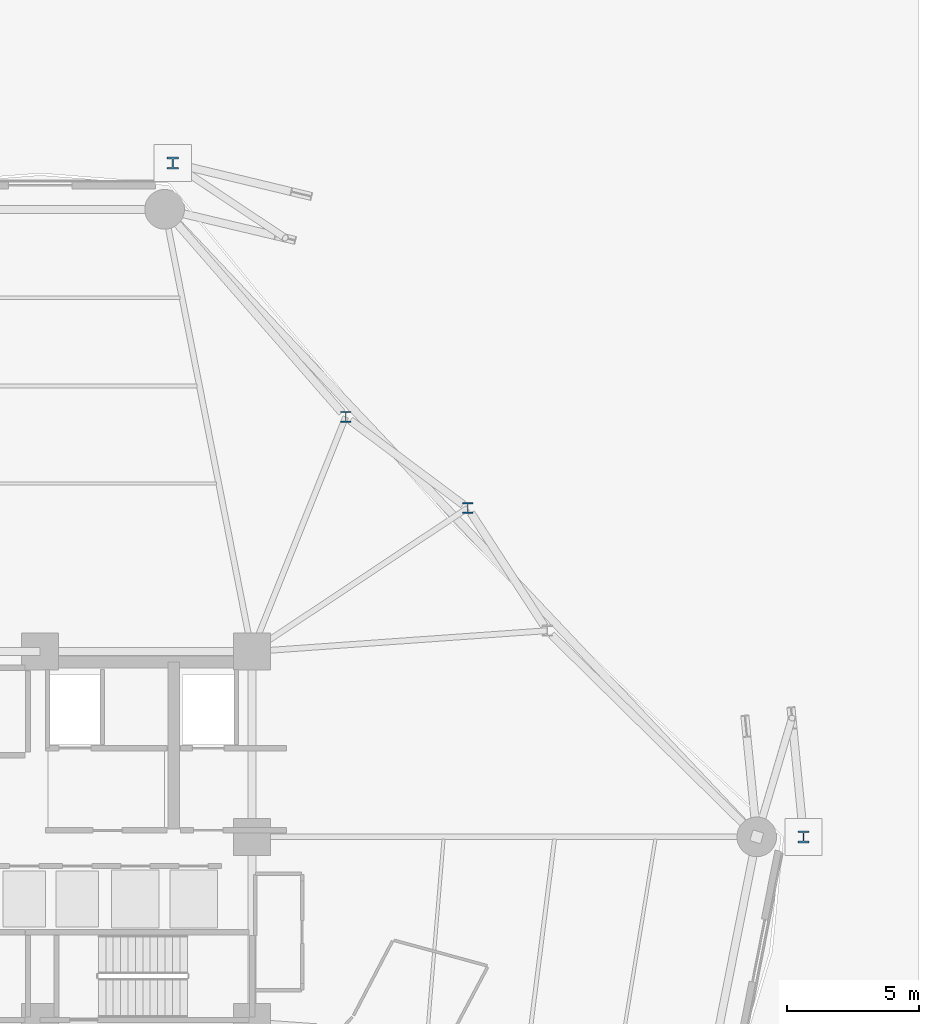
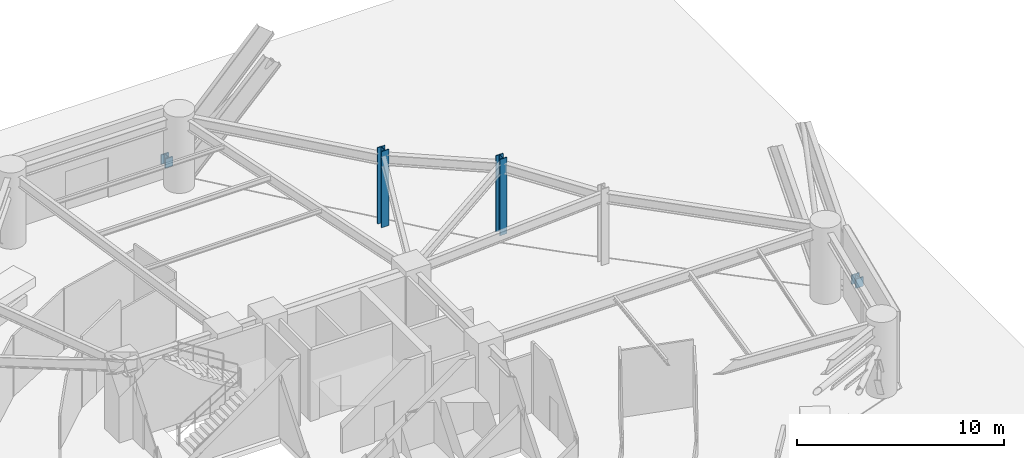
# One storey, part 4 of 40: 4 columns.
"""IFC4 building model written with IfcOpenShell, lengths in metres."""

from ifc_helpers import new_model, si_unit, direction, frame, origin, origin_2d, place, context, subcontext, project, spatial, i_section, extrude, material, material_profile, profile_set, type_object, element, save


model = new_model("IFC4")

# Units and contexts
model_context = context("Model", 3, precision=1e-05, world=origin(), true_north=direction((0.0, 1.0)))
body_context = subcontext(model_context, "Body", "Model", "MODEL_VIEW")
ifc_project = project(units=[si_unit("LENGTHUNIT", "METRE"), si_unit("AREAUNIT", "SQUARE_METRE"), si_unit("VOLUMEUNIT", "CUBIC_METRE"), si_unit("PLANEANGLEUNIT", "RADIAN"), si_unit("MASSUNIT", "GRAM", prefix="KILO")], contexts=[model_context])

# Site, building, storey
site_placement = place(None, origin())
site = spatial("IfcSite", under=ifc_project, at=site_placement, CompositionType="ELEMENT")
building_placement = place(site_placement, origin())
building = spatial("IfcBuilding", under=site, at=building_placement, Name="Kelanora Arch Commons", CompositionType="ELEMENT")
storey_placement = place(building_placement, origin())
storey = spatial("IfcBuildingStorey", under=building, at=storey_placement, Name="L00", CompositionType="ELEMENT", Elevation=0.0)

# Columns
ifc_material = material(Name="Steel S355", Category="steel")
ifc_material_profile_1 = material_profile(ifc_material, i_section(OverallWidth=0.41796875, OverallDepth=0.455078125, WebThickness=0.0419921875, FlangeThickness=0.0673828125, FilletRadius=0.014892578125, at=origin_2d()), Name="HD400x551")
ifc_profile_set_1 = profile_set([ifc_material_profile_1], Name="Steel S355")
column_type_1 = type_object("IfcColumnType", Name="COL-ABUT", PredefinedType="COLUMN", material=ifc_profile_set_1)
for number, where, z_axis, x_axis, name in (
    (1, (102.85009765625, 58.0, 0.0), (0.0, 0.0, 1.0), (1.0, 0.0, 0.0), "Giant Arch Abutment Thrust Column 1 L00"),
    (2, (79.009765625, 83.457275390625, 0.0), (0.0, 0.0, 1.0), (1.0, 0.0, 0.0), "Giant Arch Abutment Thrust Column 2 L00"),
):
    element("IfcColumn", number, at=place(storey_placement, frame(where, z_axis=z_axis, x_axis=x_axis)), inside=storey, type_object=column_type_1, Name=name, PredefinedType="COLUMN", context=body_context, shape_type="SweptSolid", body=[
        extrude(i_section(OverallWidth=0.41796875, OverallDepth=0.455078125, WebThickness=0.0419921875, FlangeThickness=0.0673828125, FilletRadius=0.014892578125, at=origin_2d()), origin(), (0.0, 0.0, 1.0), 0.550048828125),
    ])
ifc_material_profile_2 = material_profile(ifc_material, i_section(OverallWidth=0.406005859375, OverallDepth=0.416015625, WebThickness=0.029052734375, FlangeThickness=0.048095703125, FilletRadius=0.014892578125, at=origin_2d()), Name="HD400x382")
ifc_profile_set_2 = profile_set([ifc_material_profile_2], Name="Steel S355")
column_type_2 = type_object("IfcColumnType", Name="COL-PORCH", PredefinedType="COLUMN", material=ifc_profile_set_2)
for number, where, z_axis, x_axis, name in (
    (3, (90.156494140625, 70.426025390625, 0.0), (0.0, 0.0, 1.0), (1.0, 0.0, 0.0), "Recessed Arch Portal Column CAP-04 L00"),
    (4, (85.545654296875, 73.866455078125, 0.0), (0.0, 0.0, 1.0), (1.0, 0.0, 0.0), "Recessed Arch Portal Column CAP-06 L00"),
):
    element("IfcColumn", number, at=place(storey_placement, frame(where, z_axis=z_axis, x_axis=x_axis)), inside=storey, type_object=column_type_2, Name=name, PredefinedType="COLUMN", context=body_context, shape_type="SweptSolid", body=[
        extrude(i_section(OverallWidth=0.406005859375, OverallDepth=0.416015625, WebThickness=0.029052734375, FlangeThickness=0.048095703125, FilletRadius=0.014892578125, at=origin_2d()), origin(), (0.0, 0.0, 1.0), 4.5),
    ])

save(model, "model.ifc")
